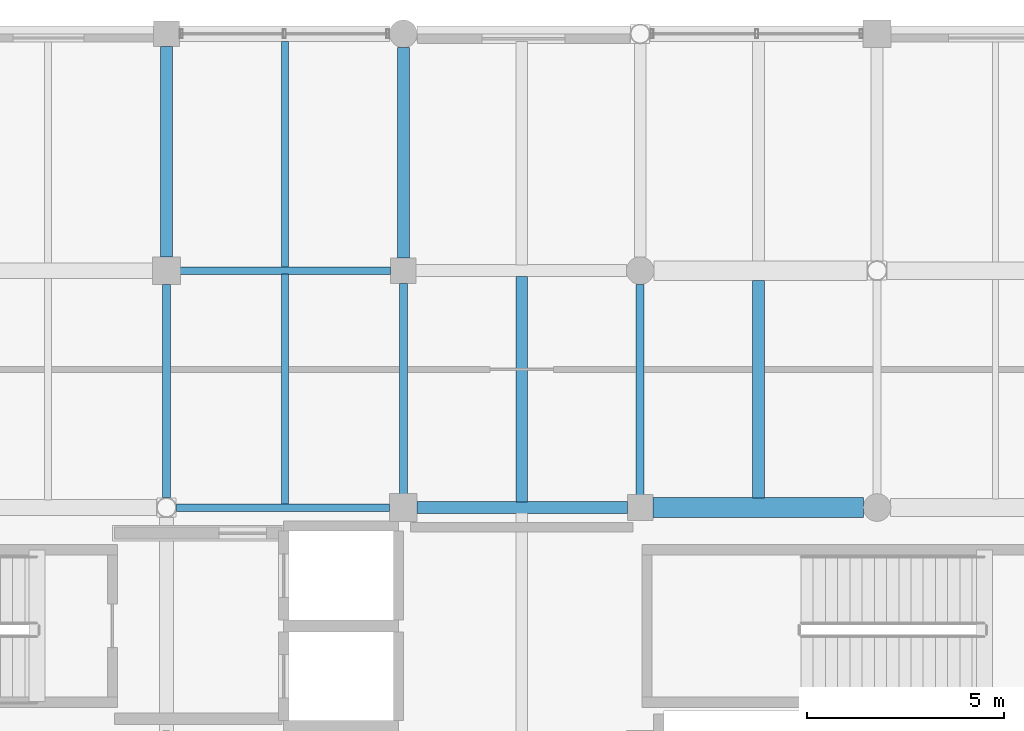
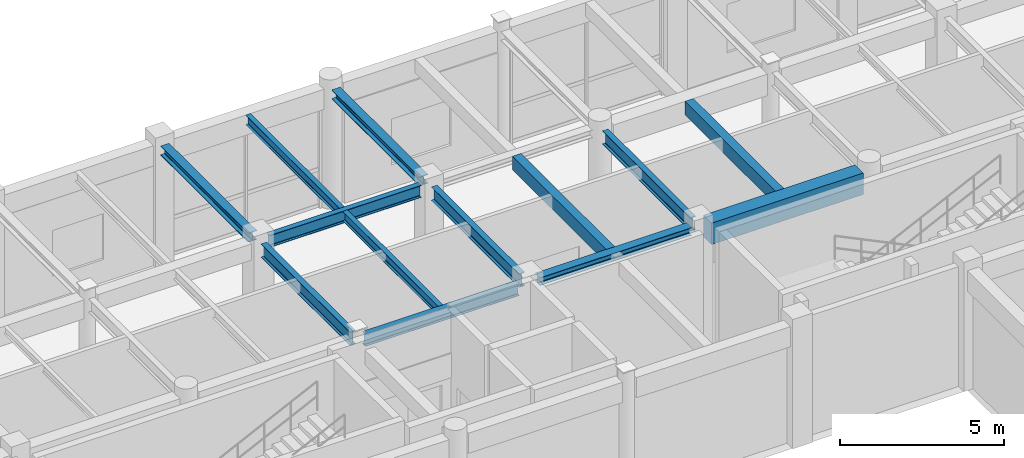
# One storey, part 79 of 123: 13 beams.
"""IFC4 building model written with IfcOpenShell, lengths in metres."""

from ifc_helpers import new_model, si_unit, direction, frame, origin, origin_2d, place, context, subcontext, project, spatial, rectangle, i_section, extrude, material, material_profile, profile_set, type_object, element, save


model = new_model("IFC4")

# Units and contexts
model_context = context("Model", 3, precision=1e-05, world=origin(), true_north=direction((0.0, 1.0)))
body_context = subcontext(model_context, "Body", "Model", "MODEL_VIEW")
ifc_project = project(units=[si_unit("LENGTHUNIT", "METRE"), si_unit("AREAUNIT", "SQUARE_METRE"), si_unit("VOLUMEUNIT", "CUBIC_METRE"), si_unit("PLANEANGLEUNIT", "RADIAN"), si_unit("MASSUNIT", "GRAM", prefix="KILO"), si_unit("THERMODYNAMICTEMPERATUREUNIT", "KELVIN"), si_unit("POWERUNIT", "WATT")], contexts=[model_context])

# Site, building, storey
site_placement = place(None, origin())
site = spatial("IfcSite", under=ifc_project, at=site_placement, CompositionType="ELEMENT")
building_placement = place(site_placement, origin())
building = spatial("IfcBuilding", under=site, at=building_placement, Name="Phaisarnlok Congress Hotel", CompositionType="ELEMENT")
storey_placement = place(building_placement, frame((0.0, 0.0, 15.0)))
storey = spatial("IfcBuildingStorey", under=building, at=storey_placement, Name="L03", CompositionType="ELEMENT", Elevation=15.0)

# Beams
ifc_material_1 = material(Name="Concrete C40/50", Category="concrete")
ifc_material_profile_1 = material_profile(ifc_material_1, rectangle(XDim=0.5, YDim=0.800048828125, at=origin_2d()), Name="RC 500x800")
ifc_profile_set_1 = profile_set([ifc_material_profile_1], Name="Concrete C40/50")
beam_type_1 = type_object("IfcBeamType", Name="BM-RC-500x800", PredefinedType="BEAM", material=ifc_profile_set_1)
beam_1_placement = place(storey_placement, frame((156.320068359375, 114.0, 4.050048828125), z_axis=(1.0, 0.0, 0.0), x_axis=(0.0, 1.0, 0.0)))
element("IfcBeam", 1, at=beam_1_placement, inside=storey, type_object=beam_type_1, Name="Beam B-04", PredefinedType="BEAM", context=body_context, shape_type="SweptSolid", body=[
    extrude(rectangle(XDim=0.5, YDim=0.800048828125, at=origin_2d()), origin(), (0.0, 0.0, 1.0), 5.3349609375),
])
ifc_material_2 = material(Name="Steel S355", Category="steel")
ifc_material_profile_2 = material_profile(ifc_material_2, i_section(OverallWidth=0.300048828125, OverallDepth=0.2900390625, WebThickness=0.008544921875, FlangeThickness=0.013916015625, FilletRadius=0.027099609375, at=origin_2d()), Name="HEA 300")
ifc_profile_set_2 = profile_set([ifc_material_profile_2], Name="Steel S355")
beam_type_2 = type_object("IfcBeamType", Name="BM-STL-HEA300", PredefinedType="BEAM", material=ifc_profile_set_2)
beam_2_placement = place(storey_placement, frame((150.344970703125, 114.0, 4.304931640625), z_axis=(1.0, 0.0, 0.0), x_axis=(0.0, 1.0, 0.0)))
element("IfcBeam", 2, at=beam_2_placement, inside=storey, type_object=beam_type_2, Name="Beam SB-05", PredefinedType="BEAM", context=body_context, shape_type="SweptSolid", body=[
    extrude(i_section(OverallWidth=0.300048828125, OverallDepth=0.2900390625, WebThickness=0.008544921875, FlangeThickness=0.013916015625, FilletRadius=0.027099609375, at=origin_2d()), origin(), (0.0, 0.0, 1.0), 5.3349609375),
])
ifc_material_profile_3 = material_profile(ifc_material_2, i_section(OverallWidth=0.300048828125, OverallDepth=0.340087890625, WebThickness=0.011962890625, FlangeThickness=0.021484375, FilletRadius=0.027099609375, at=origin_2d()), Name="HEB 340")
ifc_profile_set_3 = profile_set([ifc_material_profile_3], Name="Steel S355")
beam_type_3 = type_object("IfcBeamType", Name="BM-STL-HEB340", PredefinedType="BEAM", material=ifc_profile_set_3)
for number, where, z_axis, x_axis, name in (
    (3, (144.0, 120.344970703125, 4.280029296875), (0.0, 1.0, 0.0), (-1.0, 0.0, 0.0), "Beam SB-07"),
    (4, (150.0, 120.320068359375, 4.280029296875), (0.0, 1.0, 0.0), (-1.0, 0.0, 0.0), "Beam SB-07"),
):
    element("IfcBeam", number, at=place(storey_placement, frame(where, z_axis=z_axis, x_axis=x_axis)), inside=storey, type_object=beam_type_3, Name=name, PredefinedType="BEAM", context=body_context, shape_type="SweptSolid", body=[
        extrude(i_section(OverallWidth=0.300048828125, OverallDepth=0.340087890625, WebThickness=0.011962890625, FlangeThickness=0.021484375, FilletRadius=0.027099609375, at=origin_2d()), origin(), (0.0, 0.0, 1.0), 5.3349609375),
    ])
ifc_material_profile_4 = material_profile(ifc_material_2, i_section(OverallWidth=0.18994140625, OverallDepth=0.449951171875, WebThickness=0.009521484375, FlangeThickness=0.0146484375, FilletRadius=0.02099609375, at=origin_2d()), Name="IPE 450")
ifc_profile_set_4 = profile_set([ifc_material_profile_4], Name="Steel S355")
beam_type_4 = type_object("IfcBeamType", Name="BM-STL-IPE450", PredefinedType="BEAM", material=ifc_profile_set_4)
beam_3_placement = place(storey_placement, frame((144.2490234375, 114.0, 4.22509765625), z_axis=(1.0, 0.0, 0.0), x_axis=(0.0, 1.0, 0.0)))
element("IfcBeam", 5, at=beam_3_placement, inside=storey, type_object=beam_type_4, Name="Beam SB-01", PredefinedType="BEAM", context=body_context, shape_type="SweptSolid", body=[
    extrude(i_section(OverallWidth=0.18994140625, OverallDepth=0.449951171875, WebThickness=0.009521484375, FlangeThickness=0.0146484375, FilletRadius=0.02099609375, at=origin_2d()), origin(), (0.0, 0.0, 1.0), 5.406005859375),
])
beam_4_placement = place(storey_placement, frame((144.344970703125, 120.0, 4.22509765625), z_axis=(1.0, 0.0, 0.0), x_axis=(0.0, 1.0, 0.0)))
element("IfcBeam", 6, at=beam_4_placement, inside=storey, type_object=beam_type_4, Name="Beam SB-01", PredefinedType="BEAM", context=body_context, shape_type="SweptSolid", body=[
    extrude(i_section(OverallWidth=0.18994140625, OverallDepth=0.449951171875, WebThickness=0.009521484375, FlangeThickness=0.0146484375, FilletRadius=0.02099609375, at=origin_2d()), origin(), (0.0, 0.0, 1.0), 5.3349609375),
])
ifc_material_profile_5 = material_profile(ifc_material_2, i_section(OverallWidth=0.199951171875, OverallDepth=0.5, WebThickness=0.01025390625, FlangeThickness=0.01611328125, FilletRadius=0.02099609375, at=origin_2d()), Name="IPE 500")
ifc_profile_set_5 = profile_set([ifc_material_profile_5], Name="Steel S355")
beam_type_5 = type_object("IfcBeamType", Name="BM-STL-IPE500", PredefinedType="BEAM", material=ifc_profile_set_5)
beam_5_placement = place(storey_placement, frame((144.0, 114.2490234375, 4.199951171875), z_axis=(0.0, 1.0, 0.0), x_axis=(-1.0, 0.0, 0.0)))
element("IfcBeam", 7, at=beam_5_placement, inside=storey, type_object=beam_type_5, Name="Beam SB-02", PredefinedType="BEAM", context=body_context, shape_type="SweptSolid", body=[
    extrude(i_section(OverallWidth=0.199951171875, OverallDepth=0.5, WebThickness=0.01025390625, FlangeThickness=0.01611328125, FilletRadius=0.02099609375, at=origin_2d()), origin(), (0.0, 0.0, 1.0), 5.406005859375),
])
for number, where, z_axis, x_axis, name in (
    (8, (150.0, 114.344970703125, 4.199951171875), (0.0, 1.0, 0.0), (-1.0, 0.0, 0.0), "Beam SB-02"),
    (9, (156.0, 114.320068359375, 4.199951171875), (0.0, 1.0, 0.0), (-1.0, 0.0, 0.0), "Beam SB-02"),
):
    element("IfcBeam", number, at=place(storey_placement, frame(where, z_axis=z_axis, x_axis=x_axis)), inside=storey, type_object=beam_type_5, Name=name, PredefinedType="BEAM", context=body_context, shape_type="SweptSolid", body=[
        extrude(i_section(OverallWidth=0.199951171875, OverallDepth=0.5, WebThickness=0.01025390625, FlangeThickness=0.01611328125, FilletRadius=0.02099609375, at=origin_2d()), origin(), (0.0, 0.0, 1.0), 5.3349609375),
    ])
ifc_material_profile_6 = material_profile(ifc_material_1, rectangle(XDim=0.300048828125, YDim=0.5, at=origin_2d()), Name="RC 300x500")
ifc_profile_set_6 = profile_set([ifc_material_profile_6], Name="Concrete C40/50")
beam_type_6 = type_object("IfcBeamType", Name="JS-RC-300x500", PredefinedType="JOIST", material=ifc_profile_set_6)
beam_6_placement = place(storey_placement, frame((153.0, 114.14501953125, 4.199951171875), z_axis=(0.0, 1.0, 0.0), x_axis=(-1.0, 0.0, 0.0)))
element("IfcBeam", 10, at=beam_6_placement, inside=storey, type_object=beam_type_6, Name="Secondary floor joist J-01", PredefinedType="JOIST", context=body_context, shape_type="SweptSolid", body=[
    extrude(rectangle(XDim=0.300048828125, YDim=0.5, at=origin_2d()), origin(), (0.0, 0.0, 1.0), 5.7099609375),
])
beam_7_placement = place(storey_placement, frame((159.0, 114.2451171875, 4.199951171875), z_axis=(0.0, 1.0, 0.0), x_axis=(-1.0, 0.0, 0.0)))
element("IfcBeam", 11, at=beam_7_placement, inside=storey, type_object=beam_type_6, Name="Secondary floor joist J-01", PredefinedType="JOIST", context=body_context, shape_type="SweptSolid", body=[
    extrude(rectangle(XDim=0.300048828125, YDim=0.5, at=origin_2d()), origin(), (0.0, 0.0, 1.0), 5.509765625),
])
ifc_material_profile_7 = material_profile(ifc_material_2, i_section(OverallWidth=0.169921875, OverallDepth=0.360107421875, WebThickness=0.008056640625, FlangeThickness=0.0126953125, FilletRadius=0.01806640625, at=origin_2d()), Name="IPE 360")
ifc_profile_set_7 = profile_set([ifc_material_profile_7], Name="Steel S355")
beam_type_7 = type_object("IfcBeamType", Name="JS-STL-IPE360", PredefinedType="JOIST", material=ifc_profile_set_7)
beam_8_placement = place(storey_placement, frame((147.0, 114.090087890625, 4.27001953125), z_axis=(0.0, 1.0, 0.0), x_axis=(-1.0, 0.0, 0.0)))
element("IfcBeam", 12, at=beam_8_placement, inside=storey, type_object=beam_type_7, Name="Secondary floor joist J-04", PredefinedType="JOIST", context=body_context, shape_type="SweptSolid", body=[
    extrude(i_section(OverallWidth=0.169921875, OverallDepth=0.360107421875, WebThickness=0.008056640625, FlangeThickness=0.0126953125, FilletRadius=0.01806640625, at=origin_2d()), origin(), (0.0, 0.0, 1.0), 5.81982421875),
])
beam_9_placement = place(storey_placement, frame((147.0, 120.090087890625, 4.27001953125), z_axis=(0.0, 1.0, 0.0), x_axis=(-1.0, 0.0, 0.0)))
element("IfcBeam", 13, at=beam_9_placement, inside=storey, type_object=beam_type_7, Name="Secondary floor joist J-04", PredefinedType="JOIST", context=body_context, shape_type="SweptSolid", body=[
    extrude(i_section(OverallWidth=0.169921875, OverallDepth=0.360107421875, WebThickness=0.008056640625, FlangeThickness=0.0126953125, FilletRadius=0.01806640625, at=origin_2d()), origin(), (0.0, 0.0, 1.0), 5.71484375),
])

save(model, "model.ifc")
